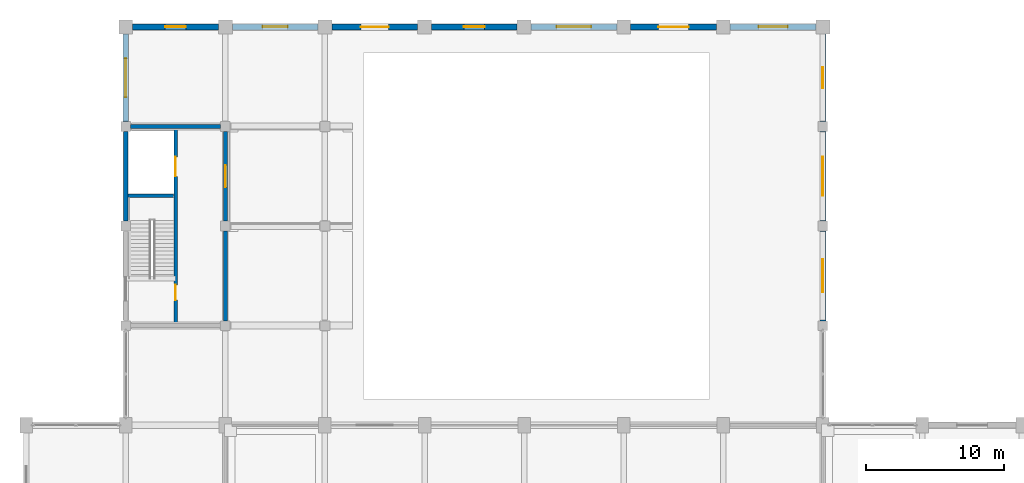
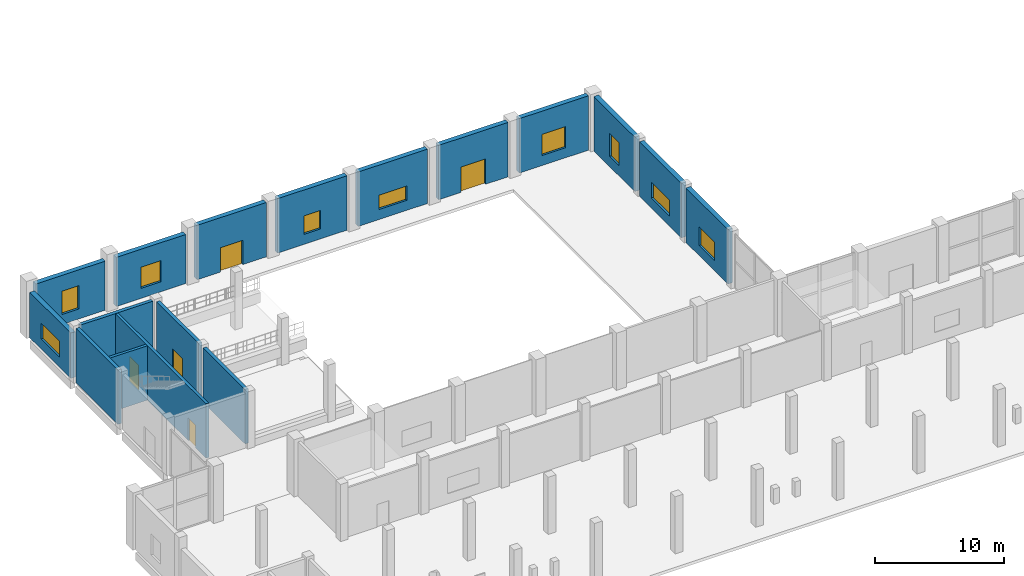
# One storey, part 48 of 70: 17 walls, 9 windows, 5 doors, 14 openings.
"""IFC4 building model written with IfcOpenShell, lengths in metres."""

from ifc_helpers import new_model, si_unit, direction, frame, frame_2d, origin, place, context, subcontext, project, spatial, rectangle, extrude, material, layer, layer_set, type_object, element, fill, save


model = new_model("IFC4")

# Units and contexts
model_context = context("Model", 3, precision=1e-05, world=origin(), true_north=direction((0.0, 1.0)))
body_context = subcontext(model_context, "Body", "Model", "MODEL_VIEW")
ifc_project = project(units=[si_unit("LENGTHUNIT", "METRE"), si_unit("AREAUNIT", "SQUARE_METRE"), si_unit("VOLUMEUNIT", "CUBIC_METRE"), si_unit("PLANEANGLEUNIT", "RADIAN"), si_unit("MASSUNIT", "GRAM", prefix="KILO")], contexts=[model_context])

# Site, building, storey
site_placement = place(None, origin())
site = spatial("IfcSite", under=ifc_project, at=site_placement, CompositionType="ELEMENT")
building_placement = place(site_placement, origin())
building = spatial("IfcBuilding", under=site, at=building_placement, Name="Vesperath Aquatics Centre", CompositionType="ELEMENT")
storey_placement = place(building_placement, origin())
storey = spatial("IfcBuildingStorey", under=building, at=storey_placement, Name="L00", CompositionType="ELEMENT", Elevation=0.0)

# Wall, opening, window
ifc_material_1 = material(Name="Liaoning grey granite ashlar insulated cavity wall", Category="masonry")
ifc_layer_1 = layer(ifc_material_1, 0.419921875)
ifc_layer_set_1 = layer_set([ifc_layer_1], Name="Liaoning grey granite ashlar insulated cavity wall")
wall_type_1 = type_object("IfcWallType", Name="WL-EW01", PredefinedType="SOLIDWALL", material=ifc_layer_set_1)
wall_1_placement = place(storey_placement, frame((7.699951171875, 115.199951171875, 0.0), z_axis=(0.0, 0.0, 1.0), x_axis=(1.0, 0.0, 0.0)))
wall_1 = element("IfcWall", 1, at=wall_1_placement, inside=storey, type_object=wall_type_1, Name="Exterior Wall EW01 L00_N_01_16", PredefinedType="SOLIDWALL", context=body_context, shape_type="SweptSolid", body=[
    extrude(rectangle(XDim=6.199951171875, YDim=0.419921875, at=frame_2d((3.10009765625, 0.0))), origin(), (0.0, 0.0, 1.0), 4.639892578125),
])
opening_1_placement = place(wall_1_placement, frame((2.35009765625, 0.0, 0.949951171875)))
opening_1 = element("IfcOpeningElement", 2, at=opening_1_placement, cuts=wall_1, Name="Opening W04", PredefinedType="OPENING", context=body_context, shape_type="SweptSolid", body=[
    extrude(rectangle(XDim=1.5, YDim=2.199951171875, at=frame_2d((0.75, 1.10009765625))), frame((0.0, 0.224853515625, 0.0), z_axis=(0.0, -1.0, 0.0), x_axis=(1.0, 0.0, 0.0)), (0.0, 0.0, 1.0), 0.44970703125),
])
ifc_material_2 = material(Name="Thermally broken aluminium triple-glazed window", Category="aluminium")
window_type_1 = type_object("IfcWindowType", Name="WN-W04", PartitioningType="SINGLE_PANEL", PredefinedType="WINDOW", material=ifc_material_2)
window_1_placement = place(opening_1_placement, origin())
window_1 = element("IfcWindow", 3, at=window_1_placement, inside=storey, type_object=window_type_1, Name="Deep-Reveal Casement Window W04 L00_N_01_16", OverallHeight=2.199951171875, OverallWidth=1.5, PartitioningType="SINGLE_PANEL", PredefinedType="WINDOW", context=body_context, shape_type="SweptSolid", body=[
    extrude(rectangle(XDim=1.5, YDim=2.199951171875, at=frame_2d((0.75, 1.10009765625))), frame((0.0, 0.030029296875, 0.0), z_axis=(0.0, -1.0, 0.0), x_axis=(1.0, 0.0, 0.0)), (0.0, 0.0, 1.0), 0.06005859375),
])
fill(opening_1, window_1)

wall_2_placement = place(storey_placement, frame((14.89990234375, 115.199951171875, 0.0), z_axis=(0.0, 0.0, 1.0), x_axis=(1.0, 0.0, 0.0)))
wall_2 = element("IfcWall", 4, at=wall_2_placement, inside=storey, type_object=wall_type_1, Name="Exterior Wall EW01 L00_N_02_16", PredefinedType="SOLIDWALL", context=body_context, shape_type="SweptSolid", body=[
    extrude(rectangle(XDim=6.2001953125, YDim=0.419921875, at=frame_2d((3.10009765625, 0.0))), origin(), (0.0, 0.0, 1.0), 4.639892578125),
])
opening_2_placement = place(wall_2_placement, frame((2.199951171875, 0.0, 0.949951171875)))
opening_2 = element("IfcOpeningElement", 5, at=opening_2_placement, cuts=wall_2, Name="Opening W07", PredefinedType="OPENING", context=body_context, shape_type="SweptSolid", body=[
    extrude(rectangle(XDim=1.800048828125, YDim=2.0, at=frame_2d((0.89990234375, 1.0))), frame((0.0, 0.224853515625, 0.0), z_axis=(0.0, -1.0, 0.0), x_axis=(1.0, 0.0, 0.0)), (0.0, 0.0, 1.0), 0.44970703125),
])
window_type_2 = type_object("IfcWindowType", Name="WN-W07", PartitioningType="SINGLE_PANEL", PredefinedType="WINDOW", material=ifc_material_2)
window_2_placement = place(opening_2_placement, origin())
window_2 = element("IfcWindow", 6, at=window_2_placement, inside=storey, type_object=window_type_2, Name="Deep-Reveal Casement Window W07 L00_N_02_16", OverallHeight=2.0, OverallWidth=1.800048828125, PartitioningType="SINGLE_PANEL", PredefinedType="WINDOW", context=body_context, shape_type="SweptSolid", body=[
    extrude(rectangle(XDim=1.800048828125, YDim=2.0, at=frame_2d((0.89990234375, 1.0))), frame((0.0, 0.030029296875, 0.0), z_axis=(0.0, -1.0, 0.0), x_axis=(1.0, 0.0, 0.0)), (0.0, 0.0, 1.0), 0.06005859375),
])
fill(opening_2, window_2)

# Wall, opening, door
wall_3_placement = place(storey_placement, frame((22.10009765625, 115.199951171875, 0.0), z_axis=(0.0, 0.0, 1.0), x_axis=(1.0, 0.0, 0.0)))
wall_3 = element("IfcWall", 7, at=wall_3_placement, inside=storey, type_object=wall_type_1, Name="Exterior Wall EW01 L00_N_03_16", PredefinedType="SOLIDWALL", context=body_context, shape_type="SweptSolid", body=[
    extrude(rectangle(XDim=6.199951171875, YDim=0.419921875, at=frame_2d((3.10009765625, 0.0))), origin(), (0.0, 0.0, 1.0), 5.139892578125),
])
opening_3_placement = place(wall_3_placement, frame((2.10009765625, 0.0, 0.0)))
opening_3 = element("IfcOpeningElement", 8, at=opening_3_placement, cuts=wall_3, Name="Opening EX03", PredefinedType="OPENING", context=body_context, shape_type="SweptSolid", body=[
    extrude(rectangle(XDim=2.0, YDim=2.300048828125, at=frame_2d((1.0, 1.14990234375))), frame((0.0, 0.224853515625, 0.0), z_axis=(0.0, -1.0, 0.0), x_axis=(1.0, 0.0, 0.0)), (0.0, 0.0, 1.0), 0.44970703125),
])
ifc_material_3 = material(Name="Thermally broken bronze-anodised glazed aluminium door", Category="aluminium")
door_type_1 = type_object("IfcDoorType", Name="DR-EX03", OperationType="DOUBLE_SWING_LEFT", PredefinedType="DOOR", material=ifc_material_3)
door_1_placement = place(opening_3_placement, origin())
door_1 = element("IfcDoor", 9, at=door_1_placement, inside=storey, type_object=door_type_1, Name="Final Exit Door EX03 L00_N_03_16", OperationType="DOUBLE_SWING_LEFT", OverallHeight=2.300048828125, OverallWidth=2.0, PredefinedType="DOOR", context=body_context, shape_type="SweptSolid", body=[
    extrude(rectangle(XDim=2.0, YDim=2.300048828125, at=frame_2d((1.0, 1.14990234375))), frame((0.0, 0.02490234375, 0.0), z_axis=(0.0, -1.0, 0.0), x_axis=(1.0, 0.0, 0.0)), (0.0, 0.0, 1.0), 0.050048828125),
])
fill(opening_3, door_1)

# Wall, opening, window
wall_4_placement = place(storey_placement, frame((29.300048828125, 115.199951171875, 0.0), z_axis=(0.0, 0.0, 1.0), x_axis=(1.0, 0.0, 0.0)))
wall_4 = element("IfcWall", 10, at=wall_4_placement, inside=storey, type_object=wall_type_1, Name="Exterior Wall EW01 L00_N_04_16", PredefinedType="SOLIDWALL", context=body_context, shape_type="SweptSolid", body=[
    extrude(rectangle(XDim=6.199951171875, YDim=0.419921875, at=frame_2d((3.10009765625, 0.0))), origin(), (0.0, 0.0, 1.0), 5.139892578125),
])
opening_4_placement = place(wall_4_placement, frame((2.35009765625, 0.0, 0.949951171875)))
opening_4 = element("IfcOpeningElement", 11, at=opening_4_placement, cuts=wall_4, Name="Opening W13", PredefinedType="OPENING", context=body_context, shape_type="SweptSolid", body=[
    extrude(rectangle(XDim=1.5, YDim=1.75, at=frame_2d((0.75, 0.875))), frame((0.0, 0.224853515625, 0.0), z_axis=(0.0, -1.0, 0.0), x_axis=(1.0, 0.0, 0.0)), (0.0, 0.0, 1.0), 0.44970703125),
])
window_type_3 = type_object("IfcWindowType", Name="WN-W13", PartitioningType="SINGLE_PANEL", PredefinedType="WINDOW", material=ifc_material_2)
window_3_placement = place(opening_4_placement, origin())
window_3 = element("IfcWindow", 12, at=window_3_placement, inside=storey, type_object=window_type_3, Name="Deep-Reveal Casement Window W13 L00_N_04_16", OverallHeight=1.75, OverallWidth=1.5, PartitioningType="SINGLE_PANEL", PredefinedType="WINDOW", context=body_context, shape_type="SweptSolid", body=[
    extrude(rectangle(XDim=1.5, YDim=1.75, at=frame_2d((0.75, 0.875))), frame((0.0, 0.030029296875, 0.0), z_axis=(0.0, -1.0, 0.0), x_axis=(1.0, 0.0, 0.0)), (0.0, 0.0, 1.0), 0.06005859375),
])
fill(opening_4, window_3)

wall_5_placement = place(storey_placement, frame((36.5, 115.199951171875, 0.0), z_axis=(0.0, 0.0, 1.0), x_axis=(1.0, 0.0, 0.0)))
wall_5 = element("IfcWall", 13, at=wall_5_placement, inside=storey, type_object=wall_type_1, Name="Exterior Wall EW01 L00_N_05_16", PredefinedType="SOLIDWALL", context=body_context, shape_type="SweptSolid", body=[
    extrude(rectangle(XDim=6.199951171875, YDim=0.419921875, at=frame_2d((3.10009765625, 0.0))), origin(), (0.0, 0.0, 1.0), 5.139892578125),
])
opening_5_placement = place(wall_5_placement, frame((1.85009765625, 0.0, 0.949951171875)))
opening_5 = element("IfcOpeningElement", 14, at=opening_5_placement, cuts=wall_5, Name="Opening W16", PredefinedType="OPENING", context=body_context, shape_type="SweptSolid", body=[
    extrude(rectangle(XDim=2.5, YDim=1.35009765625, at=frame_2d((1.25, 0.675048828125))), frame((0.0, 0.224853515625, 0.0), z_axis=(0.0, -1.0, 0.0), x_axis=(1.0, 0.0, 0.0)), (0.0, 0.0, 1.0), 0.44970703125),
])
window_type_4 = type_object("IfcWindowType", Name="WN-W16", PartitioningType="SINGLE_PANEL", PredefinedType="WINDOW", material=ifc_material_2)
window_4_placement = place(opening_5_placement, origin())
window_4 = element("IfcWindow", 15, at=window_4_placement, inside=storey, type_object=window_type_4, Name="Deep-Reveal Casement Window W16 L00_N_05_16", OverallHeight=1.35009765625, OverallWidth=2.5, PartitioningType="SINGLE_PANEL", PredefinedType="WINDOW", context=body_context, shape_type="SweptSolid", body=[
    extrude(rectangle(XDim=2.5, YDim=1.35009765625, at=frame_2d((1.25, 0.675048828125))), frame((0.0, 0.030029296875, 0.0), z_axis=(0.0, -1.0, 0.0), x_axis=(1.0, 0.0, 0.0)), (0.0, 0.0, 1.0), 0.06005859375),
])
fill(opening_5, window_4)

# Wall, opening, door
wall_6_placement = place(storey_placement, frame((43.699951171875, 115.199951171875, 0.0), z_axis=(0.0, 0.0, 1.0), x_axis=(1.0, 0.0, 0.0)))
wall_6 = element("IfcWall", 16, at=wall_6_placement, inside=storey, type_object=wall_type_1, Name="Exterior Wall EW01 L00_N_06_16", PredefinedType="SOLIDWALL", context=body_context, shape_type="SweptSolid", body=[
    extrude(rectangle(XDim=6.199951171875, YDim=0.419921875, at=frame_2d((3.10009765625, 0.0))), origin(), (0.0, 0.0, 1.0), 5.139892578125),
])
opening_6_placement = place(wall_6_placement, frame((2.0, 0.0, 0.0)))
opening_6 = element("IfcOpeningElement", 17, at=opening_6_placement, cuts=wall_6, Name="Opening EX01", PredefinedType="OPENING", context=body_context, shape_type="SweptSolid", body=[
    extrude(rectangle(XDim=2.199951171875, YDim=2.39990234375, at=frame_2d((1.10009765625, 1.199951171875))), frame((0.0, 0.224853515625, 0.0), z_axis=(0.0, -1.0, 0.0), x_axis=(1.0, 0.0, 0.0)), (0.0, 0.0, 1.0), 0.44970703125),
])
door_type_2 = type_object("IfcDoorType", Name="DR-EX01", OperationType="DOUBLE_SWING_LEFT", PredefinedType="DOOR", material=ifc_material_3)
door_2_placement = place(opening_6_placement, origin())
door_2 = element("IfcDoor", 18, at=door_2_placement, inside=storey, type_object=door_type_2, Name="Final Exit Door EX01 L00_N_06_16", OperationType="DOUBLE_SWING_LEFT", OverallHeight=2.39990234375, OverallWidth=2.199951171875, PredefinedType="DOOR", context=body_context, shape_type="SweptSolid", body=[
    extrude(rectangle(XDim=2.199951171875, YDim=2.39990234375, at=frame_2d((1.10009765625, 1.199951171875))), frame((0.0, 0.02490234375, 0.0), z_axis=(0.0, -1.0, 0.0), x_axis=(1.0, 0.0, 0.0)), (0.0, 0.0, 1.0), 0.050048828125),
])
fill(opening_6, door_2)

# Wall, opening, window
wall_7_placement = place(storey_placement, frame((50.89990234375, 115.199951171875, 0.0), z_axis=(0.0, 0.0, 1.0), x_axis=(1.0, 0.0, 0.0)))
wall_7 = element("IfcWall", 19, at=wall_7_placement, inside=storey, type_object=wall_type_1, Name="Exterior Wall EW01 L00_N_07_16", PredefinedType="SOLIDWALL", context=body_context, shape_type="SweptSolid", body=[
    extrude(rectangle(XDim=6.2001953125, YDim=0.419921875, at=frame_2d((3.10009765625, 0.0))), origin(), (0.0, 0.0, 1.0), 5.139892578125),
])
opening_7_placement = place(wall_7_placement, frame((2.050048828125, 0.0, 0.949951171875)))
opening_7 = element("IfcOpeningElement", 20, at=opening_7_placement, cuts=wall_7, Name="Opening W06", PredefinedType="OPENING", context=body_context, shape_type="SweptSolid", body=[
    extrude(rectangle(XDim=2.10009765625, YDim=2.0, at=frame_2d((1.050048828125, 1.0))), frame((0.0, 0.224853515625, 0.0), z_axis=(0.0, -1.0, 0.0), x_axis=(1.0, 0.0, 0.0)), (0.0, 0.0, 1.0), 0.44970703125),
])
window_type_5 = type_object("IfcWindowType", Name="WN-W06", PartitioningType="SINGLE_PANEL", PredefinedType="WINDOW", material=ifc_material_2)
window_5_placement = place(opening_7_placement, origin())
window_5 = element("IfcWindow", 21, at=window_5_placement, inside=storey, type_object=window_type_5, Name="Deep-Reveal Casement Window W06 L00_N_07_16", OverallHeight=2.0, OverallWidth=2.10009765625, PartitioningType="SINGLE_PANEL", PredefinedType="WINDOW", context=body_context, shape_type="SweptSolid", body=[
    extrude(rectangle(XDim=2.10009765625, YDim=2.0, at=frame_2d((1.050048828125, 1.0))), frame((0.0, 0.030029296875, 0.0), z_axis=(0.0, -1.0, 0.0), x_axis=(1.0, 0.0, 0.0)), (0.0, 0.0, 1.0), 0.06005859375),
])
fill(opening_7, window_5)

wall_8_placement = place(storey_placement, frame((7.199951171875, 108.35009765625, 0.0), z_axis=(0.0, 0.0, 1.0), x_axis=(0.0, 1.0, 0.0)))
wall_8 = element("IfcWall", 22, at=wall_8_placement, inside=storey, type_object=wall_type_1, Name="Exterior Wall EW01 L00_W_01_15", PredefinedType="SOLIDWALL", context=body_context, shape_type="SweptSolid", body=[
    extrude(rectangle(XDim=6.349853515625, YDim=0.419921875, at=frame_2d((3.1748046875, 0.0))), origin(), (0.0, 0.0, 1.0), 4.2900390625),
])
opening_8_placement = place(wall_8_placement, frame((1.77490234375, 0.0, 0.949951171875)))
opening_8 = element("IfcOpeningElement", 23, at=opening_8_placement, cuts=wall_8, Name="Opening W15", PredefinedType="OPENING", context=body_context, shape_type="SweptSolid", body=[
    extrude(rectangle(XDim=2.800048828125, YDim=1.5, at=frame_2d((1.39990234375, 0.75))), frame((0.0, 0.224853515625, 0.0), z_axis=(0.0, -1.0, 0.0), x_axis=(1.0, 0.0, 0.0)), (0.0, 0.0, 1.0), 0.44970703125),
])
window_type_6 = type_object("IfcWindowType", Name="WN-W15", PartitioningType="SINGLE_PANEL", PredefinedType="WINDOW", material=ifc_material_2)
window_6_placement = place(opening_8_placement, origin())
window_6 = element("IfcWindow", 24, at=window_6_placement, inside=storey, type_object=window_type_6, Name="Deep-Reveal Casement Window W15 L00_W_01_15", OverallHeight=1.5, OverallWidth=2.800048828125, PartitioningType="SINGLE_PANEL", PredefinedType="WINDOW", context=body_context, shape_type="SweptSolid", body=[
    extrude(rectangle(XDim=2.800048828125, YDim=1.5, at=frame_2d((1.39990234375, 0.75))), frame((0.0, 0.030029296875, 0.0), z_axis=(0.0, -1.0, 0.0), x_axis=(1.0, 0.0, 0.0)), (0.0, 0.0, 1.0), 0.06005859375),
])
fill(opening_8, window_6)

wall_9_placement = place(storey_placement, frame((57.60009765625, 93.949951171875, 0.0), z_axis=(0.0, 0.0, 1.0), x_axis=(0.0, 1.0, 0.0)))
wall_9 = element("IfcWall", 25, at=wall_9_placement, inside=storey, type_object=wall_type_1, Name="Exterior Wall EW01 L00_E_08_13", PredefinedType="SOLIDWALL", context=body_context, shape_type="SweptSolid", body=[
    extrude(rectangle(XDim=6.5, YDim=0.419921875, at=frame_2d((3.25, 0.0))), origin(), (0.0, 0.0, 1.0), 5.139892578125),
])
opening_9_placement = place(wall_9_placement, frame((2.050048828125, 0.0, 0.949951171875)))
opening_9 = element("IfcOpeningElement", 26, at=opening_9_placement, cuts=wall_9, Name="Opening W10", PredefinedType="OPENING", context=body_context, shape_type="SweptSolid", body=[
    extrude(rectangle(XDim=2.39990234375, YDim=1.75, at=frame_2d((1.199951171875, 0.875))), frame((0.0, 0.224853515625, 0.0), z_axis=(0.0, -1.0, 0.0), x_axis=(1.0, 0.0, 0.0)), (0.0, 0.0, 1.0), 0.44970703125),
])
window_type_7 = type_object("IfcWindowType", Name="WN-W10", PartitioningType="SINGLE_PANEL", PredefinedType="WINDOW", material=ifc_material_2)
window_7_placement = place(opening_9_placement, origin())
window_7 = element("IfcWindow", 27, at=window_7_placement, inside=storey, type_object=window_type_7, Name="Deep-Reveal Casement Window W10 L00_E_08_13", OverallHeight=1.75, OverallWidth=2.39990234375, PartitioningType="SINGLE_PANEL", PredefinedType="WINDOW", context=body_context, shape_type="SweptSolid", body=[
    extrude(rectangle(XDim=2.39990234375, YDim=1.75, at=frame_2d((1.199951171875, 0.875))), frame((0.0, 0.030029296875, 0.0), z_axis=(0.0, -1.0, 0.0), x_axis=(1.0, 0.0, 0.0)), (0.0, 0.0, 1.0), 0.06005859375),
])
fill(opening_9, window_7)

wall_10_placement = place(storey_placement, frame((57.60009765625, 101.14990234375, 0.0), z_axis=(0.0, 0.0, 1.0), x_axis=(0.0, 1.0, 0.0)))
wall_10 = element("IfcWall", 28, at=wall_10_placement, inside=storey, type_object=wall_type_1, Name="Exterior Wall EW01 L00_E_08_14", PredefinedType="SOLIDWALL", context=body_context, shape_type="SweptSolid", body=[
    extrude(rectangle(XDim=6.5, YDim=0.419921875, at=frame_2d((3.25, 0.0))), origin(), (0.0, 0.0, 1.0), 5.139892578125),
])
opening_10_placement = place(wall_10_placement, frame((1.85009765625, 0.0, 0.949951171875)))
opening_10 = element("IfcOpeningElement", 29, at=opening_10_placement, cuts=wall_10, Name="Opening W15", PredefinedType="OPENING", context=body_context, shape_type="SweptSolid", body=[
    extrude(rectangle(XDim=2.800048828125, YDim=1.5, at=frame_2d((1.39990234375, 0.75))), frame((0.0, 0.224853515625, 0.0), z_axis=(0.0, -1.0, 0.0), x_axis=(1.0, 0.0, 0.0)), (0.0, 0.0, 1.0), 0.44970703125),
])
window_8_placement = place(opening_10_placement, origin())
window_8 = element("IfcWindow", 30, at=window_8_placement, inside=storey, type_object=window_type_6, Name="Deep-Reveal Casement Window W15 L00_E_08_14", OverallHeight=1.5, OverallWidth=2.800048828125, PartitioningType="SINGLE_PANEL", PredefinedType="WINDOW", context=body_context, shape_type="SweptSolid", body=[
    extrude(rectangle(XDim=2.800048828125, YDim=1.5, at=frame_2d((1.39990234375, 0.75))), frame((0.0, 0.030029296875, 0.0), z_axis=(0.0, -1.0, 0.0), x_axis=(1.0, 0.0, 0.0)), (0.0, 0.0, 1.0), 0.06005859375),
])
fill(opening_10, window_8)

wall_11_placement = place(storey_placement, frame((57.60009765625, 108.35009765625, 0.0), z_axis=(0.0, 0.0, 1.0), x_axis=(0.0, 1.0, 0.0)))
wall_11 = element("IfcWall", 31, at=wall_11_placement, inside=storey, type_object=wall_type_1, Name="Exterior Wall EW01 L00_E_08_15", PredefinedType="SOLIDWALL", context=body_context, shape_type="SweptSolid", body=[
    extrude(rectangle(XDim=6.349853515625, YDim=0.419921875, at=frame_2d((3.1748046875, 0.0))), origin(), (0.0, 0.0, 1.0), 5.139892578125),
])
opening_11_placement = place(wall_11_placement, frame((2.425048828125, 0.0, 0.949951171875)))
opening_11 = element("IfcOpeningElement", 32, at=opening_11_placement, cuts=wall_11, Name="Opening W04", PredefinedType="OPENING", context=body_context, shape_type="SweptSolid", body=[
    extrude(rectangle(XDim=1.5, YDim=2.199951171875, at=frame_2d((0.75, 1.10009765625))), frame((0.0, 0.224853515625, 0.0), z_axis=(0.0, -1.0, 0.0), x_axis=(1.0, 0.0, 0.0)), (0.0, 0.0, 1.0), 0.44970703125),
])
window_9_placement = place(opening_11_placement, origin())
window_9 = element("IfcWindow", 33, at=window_9_placement, inside=storey, type_object=window_type_1, Name="Deep-Reveal Casement Window W04 L00_E_08_15", OverallHeight=2.199951171875, OverallWidth=1.5, PartitioningType="SINGLE_PANEL", PredefinedType="WINDOW", context=body_context, shape_type="SweptSolid", body=[
    extrude(rectangle(XDim=1.5, YDim=2.199951171875, at=frame_2d((0.75, 1.10009765625))), frame((0.0, 0.030029296875, 0.0), z_axis=(0.0, -1.0, 0.0), x_axis=(1.0, 0.0, 0.0)), (0.0, 0.0, 1.0), 0.06005859375),
])
fill(opening_11, window_9)

# Walls
ifc_material_4 = material(Name="Concrete C40", Category="concrete")
ifc_layer_2 = layer(ifc_material_4, 0.300048828125)
ifc_layer_set_2 = layer_set([ifc_layer_2], Name="Concrete C40")
wall_type_2 = type_object("IfcWallType", Name="WL-SW01", PredefinedType="SHEAR", material=ifc_layer_set_2)
for number, where, z_axis, x_axis, name in (
    (34, (7.550048828125, 108.0, 0.0), (0.0, 0.0, 1.0), (1.0, 0.0, 0.0), "Core C3 North Shear Wall SW01 L00"),
    (35, (14.39990234375, 93.949951171875, 0.0), (0.0, 0.0, 1.0), (0.0, 1.0, 0.0), "Core C3 East-1 Shear Wall SW01 L00"),
):
    element("IfcWall", number, at=place(storey_placement, frame(where, z_axis=z_axis, x_axis=x_axis)), inside=storey, type_object=wall_type_2, Name=name, PredefinedType="SHEAR", context=body_context, shape_type="SweptSolid", body=[
        extrude(rectangle(XDim=6.5, YDim=0.300048828125, at=frame_2d((3.25, 0.0))), origin(), (0.0, 0.0, 1.0), 5.139892578125),
    ])

# Wall, opening, door
wall_12_placement = place(storey_placement, frame((14.39990234375, 101.14990234375, 0.0), z_axis=(0.0, 0.0, 1.0), x_axis=(0.0, 1.0, 0.0)))
wall_12 = element("IfcWall", 36, at=wall_12_placement, inside=storey, type_object=wall_type_2, Name="Core C3 East-2 Shear Wall SW01 L00", PredefinedType="SHEAR", context=body_context, shape_type="SweptSolid", body=[
    extrude(rectangle(XDim=6.5, YDim=0.300048828125, at=frame_2d((3.25, 0.0))), origin(), (0.0, 0.0, 1.0), 5.139892578125),
])
opening_12_placement = place(wall_12_placement, frame((2.449951171875, 0.0, 0.0)))
opening_12 = element("IfcOpeningElement", 37, at=opening_12_placement, cuts=wall_12, Name="Opening D02", PredefinedType="OPENING", context=body_context, shape_type="SweptSolid", body=[
    extrude(rectangle(XDim=1.60009765625, YDim=2.199951171875, at=frame_2d((0.800048828125, 1.10009765625))), frame((0.0, 0.1650390625, 0.0), z_axis=(0.0, -1.0, 0.0), x_axis=(1.0, 0.0, 0.0)), (0.0, 0.0, 1.0), 0.329833984375),
])
ifc_material_5 = material(Name="Glazed fire-rated lobby double door", Category="steel")
door_type_3 = type_object("IfcDoorType", Name="DR-FD02", OperationType="DOUBLE_SWING_LEFT", PredefinedType="DOOR", material=ifc_material_5)
door_3_placement = place(opening_12_placement, frame((1.60009765625, 0.0, 0.0), z_axis=(0.0, 0.0, 1.0), x_axis=(-1.0, 0.0, 0.0)))
door_3 = element("IfcDoor", 38, at=door_3_placement, inside=storey, type_object=door_type_3, Name="Core C3 Lobby Fire Door D02 L00", OperationType="DOUBLE_SWING_LEFT", OverallHeight=2.199951171875, OverallWidth=1.60009765625, PredefinedType="DOOR", context=body_context, shape_type="SweptSolid", body=[
    extrude(rectangle(XDim=1.60009765625, YDim=2.199951171875, at=frame_2d((0.800048828125, 1.10009765625))), frame((0.0, 0.02490234375, 0.0), z_axis=(0.0, -1.0, 0.0), x_axis=(1.0, 0.0, 0.0)), (0.0, 0.0, 1.0), 0.050048828125),
])
fill(opening_12, door_3)

# Wall, openings, doors
ifc_layer_3 = layer(ifc_material_4, 0.260009765625)
ifc_layer_set_3 = layer_set([ifc_layer_3], Name="Concrete C40")
wall_type_3 = type_object("IfcWallType", Name="WL-SW03", PredefinedType="SHEAR", material=ifc_layer_set_3)
wall_13_placement = place(storey_placement, frame((10.800048828125, 93.800048828125, 0.0), z_axis=(0.0, 0.0, 1.0), x_axis=(0.0, 1.0, 0.0)))
wall_13 = element("IfcWall", 39, at=wall_13_placement, inside=storey, type_object=wall_type_3, Name="Core C3 Spine Shear Wall SW03 L00", PredefinedType="SHEAR", context=body_context, shape_type="SweptSolid", body=[
    extrude(rectangle(XDim=14.0, YDim=0.260009765625, at=frame_2d((7.0, 0.0))), origin(), (0.0, 0.0, 1.0), 5.139892578125),
])
opening_13_placement = place(wall_13_placement, frame((1.64990234375, 0.0, 0.0)))
opening_13 = element("IfcOpeningElement", 40, at=opening_13_placement, cuts=wall_13, Name="Opening D01", PredefinedType="OPENING", context=body_context, shape_type="SweptSolid", body=[
    extrude(rectangle(XDim=1.10009765625, YDim=2.14990234375, at=frame_2d((0.550048828125, 1.074951171875))), frame((0.0, 0.14501953125, 0.0), z_axis=(0.0, -1.0, 0.0), x_axis=(1.0, 0.0, 0.0)), (0.0, 0.0, 1.0), 0.289794921875),
])
opening_14_placement = place(wall_13_placement, frame((10.60009765625, 0.0, 0.0)))
opening_14 = element("IfcOpeningElement", 41, at=opening_14_placement, cuts=wall_13, Name="Opening LD04", PredefinedType="OPENING", context=body_context, shape_type="SweptSolid", body=[
    extrude(rectangle(XDim=1.39990234375, YDim=2.300048828125, at=frame_2d((0.699951171875, 1.14990234375))), frame((0.0, 0.14501953125, 0.0), z_axis=(0.0, -1.0, 0.0), x_axis=(1.0, 0.0, 0.0)), (0.0, 0.0, 1.0), 0.289794921875),
])
ifc_material_6 = material(Name="Steel-faced acoustic fire door", Category="steel")
door_type_4 = type_object("IfcDoorType", Name="DR-FD01", OperationType="NOTDEFINED", PredefinedType="DOOR", material=ifc_material_6)
door_4_placement = place(opening_13_placement, origin())
door_4 = element("IfcDoor", 42, at=door_4_placement, inside=storey, type_object=door_type_4, Name="Stair ST3 Fire Door D01 L00", OperationType="SINGLE_SWING_LEFT", OverallHeight=2.14990234375, OverallWidth=1.10009765625, PredefinedType="DOOR", context=body_context, shape_type="SweptSolid", body=[
    extrude(rectangle(XDim=1.10009765625, YDim=2.14990234375, at=frame_2d((0.550048828125, 1.074951171875))), frame((0.0, 0.02490234375, 0.0), z_axis=(0.0, -1.0, 0.0), x_axis=(1.0, 0.0, 0.0)), (0.0, 0.0, 1.0), 0.050048828125),
])
fill(opening_13, door_4)
ifc_material_7 = material(Name="Goods stainless lift landing door", Category="steel")
door_type_5 = type_object("IfcDoorType", Name="DR-LD04", OperationType="SLIDING_TO_RIGHT", PredefinedType="DOOR", material=ifc_material_7)
door_5_placement = place(opening_14_placement, frame((1.39990234375, 0.0, 0.0), z_axis=(0.0, 0.0, 1.0), x_axis=(-1.0, 0.0, 0.0)))
door_5 = element("IfcDoor", 43, at=door_5_placement, inside=storey, type_object=door_type_5, Name="Lift LFT-G1 Sliding Landing Door LD04 L00", OperationType="SLIDING_TO_RIGHT", OverallHeight=2.300048828125, OverallWidth=1.39990234375, PredefinedType="DOOR", context=body_context, shape_type="SweptSolid", body=[
    extrude(rectangle(XDim=1.39990234375, YDim=2.300048828125, at=frame_2d((0.699951171875, 1.14990234375))), frame((0.0, 0.02490234375, 0.0), z_axis=(0.0, -1.0, 0.0), x_axis=(1.0, 0.0, 0.0)), (0.0, 0.0, 1.0), 0.050048828125),
])
fill(opening_14, door_5)

# Walls
ifc_layer_4 = layer(ifc_material_4, 0.25)
ifc_layer_set_4 = layer_set([ifc_layer_4], Name="Concrete C40")
wall_type_4 = type_object("IfcWallType", Name="WL-SW04", PredefinedType="SHEAR", material=ifc_layer_set_4)
wall_14_placement = place(storey_placement, frame((7.360107421875, 102.97998046875, 0.0), z_axis=(0.0, 0.0, 1.0), x_axis=(1.0, 0.0, 0.0)))
element("IfcWall", 44, at=wall_14_placement, inside=storey, type_object=wall_type_4, Name="Core C3 Lift Shaft Wall SW04 L00", PredefinedType="SHEAR", context=body_context, shape_type="SweptSolid", body=[
    extrude(rectangle(XDim=3.2998046875, YDim=0.25, at=frame_2d((1.64990234375, 0.0))), origin(), (0.0, 0.0, 1.0), 5.139892578125),
])
ifc_layer_5 = layer(ifc_material_4, 0.31005859375)
ifc_layer_set_5 = layer_set([ifc_layer_5], Name="Concrete C40")
wall_type_5 = type_object("IfcWallType", Name="WL-SW05", PredefinedType="SHEAR", material=ifc_layer_set_5)
wall_15_placement = place(storey_placement, frame((7.199951171875, 101.14990234375, 0.0), z_axis=(0.0, 0.0, 1.0), x_axis=(0.0, 1.0, 0.0)))
element("IfcWall", 45, at=wall_15_placement, inside=storey, type_object=wall_type_5, Name="Core C3 West-2 Shear Wall SW05 L00", PredefinedType="SHEAR", context=body_context, shape_type="SweptSolid", body=[
    extrude(rectangle(XDim=6.5, YDim=0.31005859375, at=frame_2d((3.25, 0.0))), origin(), (0.0, 0.0, 1.0), 5.139892578125),
])

save(model, "model.ifc")
